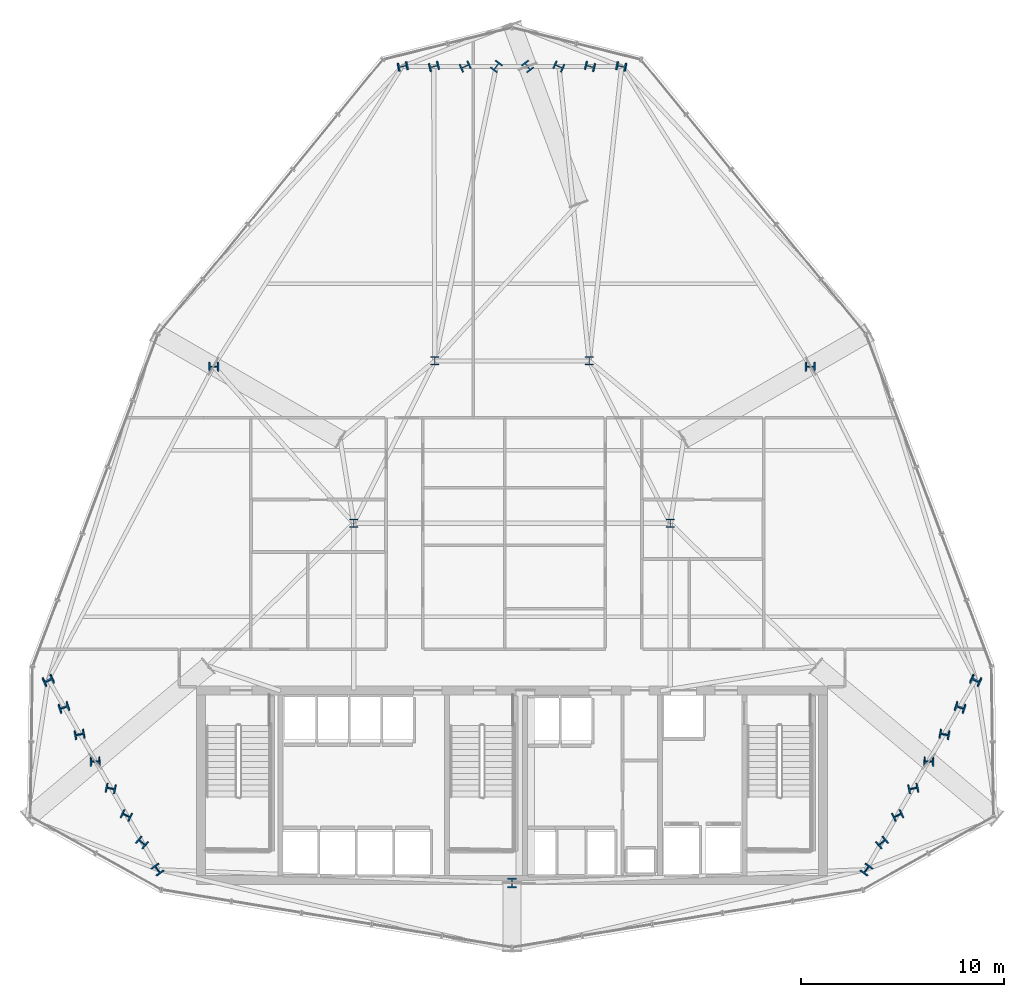
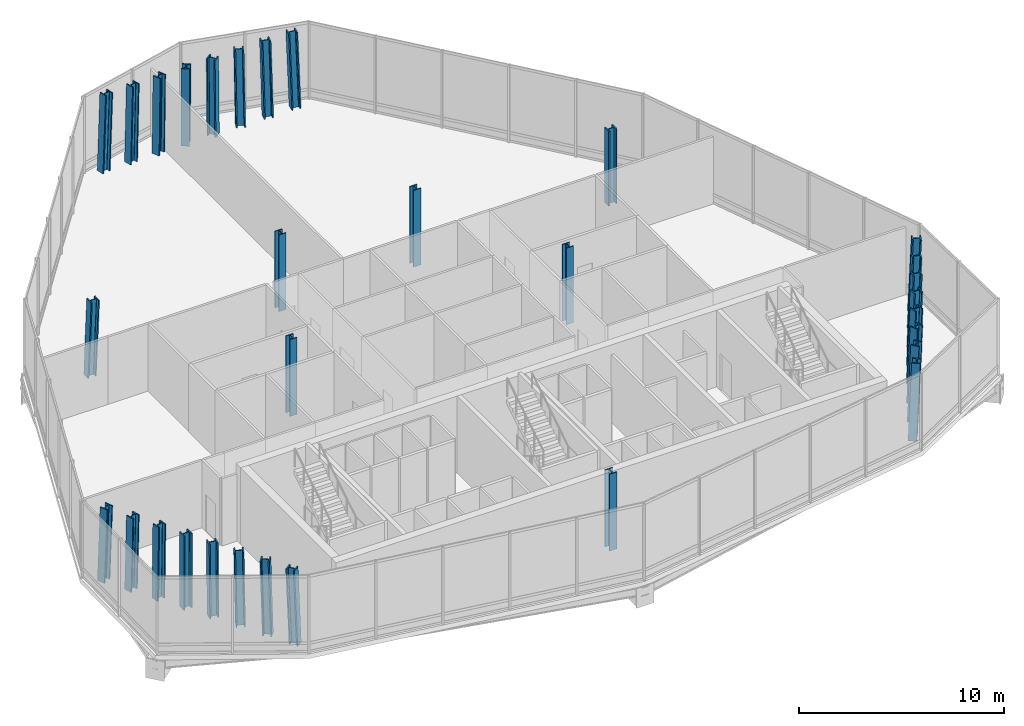
# One storey, part 1 of 26: 31 columns.
"""IFC4 building model written with IfcOpenShell, lengths in metres."""

from ifc_helpers import new_model, si_unit, direction, frame, origin, origin_2d, place, context, subcontext, project, spatial, i_section, extrude, material, material_profile, profile_set, type_object, element, save


model = new_model("IFC4")

# Units and contexts
model_context = context("Model", 3, precision=1e-05, world=origin(), true_north=direction((0.0, 1.0)))
body_context = subcontext(model_context, "Body", "Model", "MODEL_VIEW")
ifc_project = project(units=[si_unit("LENGTHUNIT", "METRE"), si_unit("AREAUNIT", "SQUARE_METRE"), si_unit("VOLUMEUNIT", "CUBIC_METRE"), si_unit("PLANEANGLEUNIT", "RADIAN"), si_unit("MASSUNIT", "GRAM", prefix="KILO")], contexts=[model_context])

# Site, building, storey
site_placement = place(None, origin())
site = spatial("IfcSite", under=ifc_project, at=site_placement, CompositionType="ELEMENT")
building_placement = place(site_placement, origin())
building = spatial("IfcBuilding", under=site, at=building_placement, Name="Ndaravel Arena Tower", CompositionType="ELEMENT")
storey_placement = place(building_placement, frame((0.0, 0.0, 122.199951171875)))
storey = spatial("IfcBuildingStorey", under=building, at=storey_placement, Name="L28", CompositionType="ELEMENT", Elevation=122.199951171875)

# Columns
ifc_material_1 = material(Name="Steel S355", Category="steel")
ifc_material_profile_1 = material_profile(ifc_material_1, i_section(OverallWidth=0.406982421875, OverallDepth=0.4189453125, WebThickness=0.030517578125, FlangeThickness=0.04931640625, FilletRadius=0.01513671875, at=origin_2d()), Name="UC 356x406x393")
ifc_profile_set_1 = profile_set([ifc_material_profile_1], Name="Steel S355")
column_type_1 = type_object("IfcColumnType", Name="COL-INT-UC393", PredefinedType="COLUMN", material=ifc_profile_set_1)
for number, where, z_axis, x_axis, name in (
    (1, (34.199951171875, 23.199951171875, 0.0), (0.0, 0.0, 1.0), (1.0, 0.0, 0.0), "L28 Interior Spine Column IC-01"),
    (2, (49.800048828125, 23.199951171875, 0.0), (0.0, 0.0, 1.0), (1.0, 0.0, 0.0), "L28 Interior Spine Column IC-02"),
    (3, (38.199951171875, 31.199951171875, 0.0), (0.0, 0.0, 1.0), (1.0, 0.0, 0.0), "L28 Interior Spine Column IC-03"),
    (4, (45.800048828125, 31.199951171875, 0.0), (0.0, 0.0, 1.0), (1.0, 0.0, 0.0), "L28 Interior Spine Column IC-04"),
):
    element("IfcColumn", number, at=place(storey_placement, frame(where, z_axis=z_axis, x_axis=x_axis)), inside=storey, type_object=column_type_1, Name=name, PredefinedType="COLUMN", context=body_context, shape_type="SweptSolid", body=[
        extrude(i_section(OverallWidth=0.406982421875, OverallDepth=0.4189453125, WebThickness=0.030517578125, FlangeThickness=0.04931640625, FilletRadius=0.01513671875, at=origin_2d()), origin(), (0.0, 0.0, 1.0), 4.580078125),
    ])
ifc_material_2 = material(Name="Steel S355", Category="steel")
ifc_material_profile_2 = material_profile(ifc_material_2, i_section(OverallWidth=0.427978515625, OverallDepth=0.48095703125, WebThickness=0.051025390625, FlangeThickness=0.06494140625, FilletRadius=0.014892578125, at=origin_2d()), Name="HD 400x677")
ifc_profile_set_2 = profile_set([ifc_material_profile_2], Name="Steel S355")
column_type_2 = type_object("IfcColumnType", Name="COL-TUBE-HD677", PredefinedType="COLUMN", material=ifc_profile_set_2)
column_1_placement = place(storey_placement, frame((42.0, 5.47998046875, 0.0), z_axis=(0.0, 0.0, 1.0), x_axis=(1.0, 0.0, 0.0)))
element("IfcColumn", 5, at=column_1_placement, inside=storey, type_object=column_type_2, Name="L28 Framed Tube Column TC-01", PredefinedType="COLUMN", context=body_context, shape_type="SweptSolid", body=[
    extrude(i_section(OverallWidth=0.427978515625, OverallDepth=0.48095703125, WebThickness=0.051025390625, FlangeThickness=0.06494140625, FilletRadius=0.014892578125, at=origin_2d()), origin(), (0.0, 0.0, 1.0), 4.580078125),
])
column_2_placement = place(storey_placement, frame((59.435791015625, 6.148193359375, 0.0), z_axis=(0.043189505974, -0.004473389028, 0.999056882947), x_axis=(-0.809092349622, 0.586477247049, 0.037603304067)))
element("IfcColumn", 6, at=column_2_placement, inside=storey, type_object=column_type_2, Name="L28 Framed Tube Column TC-02", PredefinedType="COLUMN", context=body_context, shape_type="SweptSolid", body=[
    extrude(i_section(OverallWidth=0.427978515625, OverallDepth=0.48095703125, WebThickness=0.051025390625, FlangeThickness=0.06494140625, FilletRadius=0.014892578125, at=origin_2d()), origin(), (0.0, 0.0, 1.0), 4.58447265625),
])
for number, where, z_axis, x_axis, name in (
    (7, (60.20751953125, 7.48486328125, 0.0), (0.037975473427, -0.013581691057, 0.999186369546), (-0.646402166409, 0.762197015263, 0.034927770978), "L28 Framed Tube Column TC-03"),
    (8, (60.979248046875, 8.8212890625, 0.0), (0.032703352646, -0.022583422674, 0.999209927766), (-0.427943788635, 0.903149751469, 0.03441860239), "L28 Framed Tube Column TC-04"),
):
    element("IfcColumn", number, at=place(storey_placement, frame(where, z_axis=z_axis, x_axis=x_axis)), inside=storey, type_object=column_type_2, Name=name, PredefinedType="COLUMN", context=body_context, shape_type="SweptSolid", body=[
        extrude(i_section(OverallWidth=0.427978515625, OverallDepth=0.48095703125, WebThickness=0.051025390625, FlangeThickness=0.06494140625, FilletRadius=0.014892578125, at=origin_2d()), origin(), (0.0, 0.0, 1.0), 4.583740234375),
    ])
column_3_placement = place(storey_placement, frame((61.750732421875, 10.157958984375, 0.0), z_axis=(0.027534387847, -0.031635254122, 0.999120147021), x_axis=(-0.190914261199, 0.980934526871, 0.036320777292)))
element("IfcColumn", 9, at=column_3_placement, inside=storey, type_object=column_type_2, Name="L28 Framed Tube Column TC-05", PredefinedType="COLUMN", context=body_context, shape_type="SweptSolid", body=[
    extrude(i_section(OverallWidth=0.427978515625, OverallDepth=0.48095703125, WebThickness=0.051025390625, FlangeThickness=0.06494140625, FilletRadius=0.014892578125, at=origin_2d()), origin(), (0.0, 0.0, 1.0), 4.584228515625),
])
column_4_placement = place(storey_placement, frame((62.5224609375, 11.49462890625, 0.0), z_axis=(0.022310701627, -0.040681088408, 0.998923060921), x_axis=(0.022408974, 0.99894108891, 0.040181323658)))
element("IfcColumn", 10, at=column_4_placement, inside=storey, type_object=column_type_2, Name="L28 Framed Tube Column TC-06", PredefinedType="COLUMN", context=body_context, shape_type="SweptSolid", body=[
    extrude(i_section(OverallWidth=0.427978515625, OverallDepth=0.48095703125, WebThickness=0.051025390625, FlangeThickness=0.06494140625, FilletRadius=0.014892578125, at=origin_2d()), origin(), (0.0, 0.0, 1.0), 4.5849609375),
])
column_5_placement = place(storey_placement, frame((63.294189453125, 12.831298828125, 0.0), z_axis=(0.017087211933, -0.049717931294, 0.998617121071), x_axis=(0.191763952712, 0.98038446658, 0.045528937258)))
element("IfcColumn", 11, at=column_5_placement, inside=storey, type_object=column_type_2, Name="L28 Framed Tube Column TC-07", PredefinedType="COLUMN", context=body_context, shape_type="SweptSolid", body=[
    extrude(i_section(OverallWidth=0.427978515625, OverallDepth=0.48095703125, WebThickness=0.051025390625, FlangeThickness=0.06494140625, FilletRadius=0.014892578125, at=origin_2d()), origin(), (0.0, 0.0, 1.0), 4.58642578125),
])
column_6_placement = place(storey_placement, frame((64.06591796875, 14.167724609375, 0.0), z_axis=(0.011812463499, -0.058689852427, 0.998206374919), x_axis=(0.319599229049, 0.946133345775, 0.051846164794)))
element("IfcColumn", 12, at=column_6_placement, inside=storey, type_object=column_type_2, Name="L28 Framed Tube Column TC-08", PredefinedType="COLUMN", context=body_context, shape_type="SweptSolid", body=[
    extrude(i_section(OverallWidth=0.427978515625, OverallDepth=0.48095703125, WebThickness=0.051025390625, FlangeThickness=0.06494140625, FilletRadius=0.014892578125, at=origin_2d()), origin(), (0.0, 0.0, 1.0), 4.58837890625),
])
column_7_placement = place(storey_placement, frame((64.83740234375, 15.50439453125, 0.0), z_axis=(0.006647678433, -0.067699957159, 0.997683579183), x_axis=(0.413172033323, 0.908745434106, 0.058911856794)))
element("IfcColumn", 13, at=column_7_placement, inside=storey, type_object=column_type_2, Name="L28 Framed Tube Column TC-09", PredefinedType="COLUMN", context=body_context, shape_type="SweptSolid", body=[
    extrude(i_section(OverallWidth=0.427978515625, OverallDepth=0.48095703125, WebThickness=0.051025390625, FlangeThickness=0.06494140625, FilletRadius=0.014892578125, at=origin_2d()), origin(), (0.0, 0.0, 1.0), 4.5908203125),
])
for number, where, z_axis, x_axis, name in (
    (14, (56.6982421875, 30.938232421875, 0.0), (-0.018856516955, -0.032652669191, 0.999288864625), (-0.00020486986, 0.999466674907, 0.032654613422), "L28 Framed Tube Column TC-10"),
    (15, (47.401611328125, 45.7041015625, 0.0), (-0.036488653894, 0.006978122132, 0.99930970372), (-0.18783683537, -0.982200246018, 0.0), "L28 Framed Tube Column TC-11"),
):
    element("IfcColumn", number, at=place(storey_placement, frame(where, z_axis=z_axis, x_axis=x_axis)), inside=storey, type_object=column_type_2, Name=name, PredefinedType="COLUMN", context=body_context, shape_type="SweptSolid", body=[
        extrude(i_section(OverallWidth=0.427978515625, OverallDepth=0.48095703125, WebThickness=0.051025390625, FlangeThickness=0.06494140625, FilletRadius=0.014892578125, at=origin_2d()), origin(), (0.0, 0.0, 1.0), 4.583251953125),
    ])
column_8_placement = place(storey_placement, frame((45.8583984375, 45.7041015625, 0.0), z_axis=(-0.026109861774, 0.006980391617, 0.999634707906), x_axis=(-0.258276158902, -0.966071128718, 0.0)))
element("IfcColumn", 16, at=column_8_placement, inside=storey, type_object=column_type_2, Name="L28 Framed Tube Column TC-12", PredefinedType="COLUMN", context=body_context, shape_type="SweptSolid", body=[
    extrude(i_section(OverallWidth=0.427978515625, OverallDepth=0.48095703125, WebThickness=0.051025390625, FlangeThickness=0.06494140625, FilletRadius=0.014892578125, at=origin_2d()), origin(), (0.0, 0.0, 1.0), 4.581787109375),
])
column_9_placement = place(storey_placement, frame((44.31494140625, 45.7041015625, 0.0), z_axis=(-0.015616051692, 0.006981920723, 0.999853685152), x_axis=(-0.408161090952, -0.912909920985, 0.0)))
element("IfcColumn", 17, at=column_9_placement, inside=storey, type_object=column_type_2, Name="L28 Framed Tube Column TC-13", PredefinedType="COLUMN", context=body_context, shape_type="SweptSolid", body=[
    extrude(i_section(OverallWidth=0.427978515625, OverallDepth=0.48095703125, WebThickness=0.051025390625, FlangeThickness=0.06494140625, FilletRadius=0.014892578125, at=origin_2d()), origin(), (0.0, 0.0, 1.0), 4.580810546875),
])
for number, where, z_axis, x_axis, name in (
    (18, (42.771728515625, 45.7041015625, 0.0), (-0.005223681969, 0.006982676918, 0.999961976962), (-0.800732897989, -0.599021557274, 0.0), "L28 Framed Tube Column TC-14"),
    (19, (41.228271484375, 45.7041015625, 0.0), (0.005223681969, 0.006982676918, 0.999961976962), (-0.800732897989, 0.599021557274, 0.0), "L28 Framed Tube Column TC-15"),
):
    element("IfcColumn", number, at=place(storey_placement, frame(where, z_axis=z_axis, x_axis=x_axis)), inside=storey, type_object=column_type_2, Name=name, PredefinedType="COLUMN", context=body_context, shape_type="SweptSolid", body=[
        extrude(i_section(OverallWidth=0.427978515625, OverallDepth=0.48095703125, WebThickness=0.051025390625, FlangeThickness=0.06494140625, FilletRadius=0.014892578125, at=origin_2d()), origin(), (0.0, 0.0, 1.0), 4.580322265625),
    ])
column_10_placement = place(storey_placement, frame((39.68505859375, 45.7041015625, 0.0), z_axis=(0.015616051692, 0.006981920723, 0.999853685152), x_axis=(-0.408161090952, 0.912909920985, 0.0)))
element("IfcColumn", 20, at=column_10_placement, inside=storey, type_object=column_type_2, Name="L28 Framed Tube Column TC-16", PredefinedType="COLUMN", context=body_context, shape_type="SweptSolid", body=[
    extrude(i_section(OverallWidth=0.427978515625, OverallDepth=0.48095703125, WebThickness=0.051025390625, FlangeThickness=0.06494140625, FilletRadius=0.014892578125, at=origin_2d()), origin(), (0.0, 0.0, 1.0), 4.580810546875),
])
column_11_placement = place(storey_placement, frame((38.1416015625, 45.7041015625, 0.0), z_axis=(0.026109861774, 0.006980391617, 0.999634707906), x_axis=(-0.258276158902, 0.966071128718, 0.0)))
element("IfcColumn", 21, at=column_11_placement, inside=storey, type_object=column_type_2, Name="L28 Framed Tube Column TC-17", PredefinedType="COLUMN", context=body_context, shape_type="SweptSolid", body=[
    extrude(i_section(OverallWidth=0.427978515625, OverallDepth=0.48095703125, WebThickness=0.051025390625, FlangeThickness=0.06494140625, FilletRadius=0.014892578125, at=origin_2d()), origin(), (0.0, 0.0, 1.0), 4.581787109375),
])
for number, where, z_axis, x_axis, name in (
    (22, (36.598388671875, 45.7041015625, 0.0), (0.036488653894, 0.006978122132, 0.99930970372), (-0.18783683537, 0.982200246018, 0.0), "L28 Framed Tube Column TC-18"),
    (23, (27.3017578125, 30.938232421875, 0.0), (0.018856516955, -0.032652669191, 0.999288864625), (0.00020486986, 0.999466674907, 0.032654613422), "L28 Framed Tube Column TC-19"),
):
    element("IfcColumn", number, at=place(storey_placement, frame(where, z_axis=z_axis, x_axis=x_axis)), inside=storey, type_object=column_type_2, Name=name, PredefinedType="COLUMN", context=body_context, shape_type="SweptSolid", body=[
        extrude(i_section(OverallWidth=0.427978515625, OverallDepth=0.48095703125, WebThickness=0.051025390625, FlangeThickness=0.06494140625, FilletRadius=0.014892578125, at=origin_2d()), origin(), (0.0, 0.0, 1.0), 4.583251953125),
    ])
column_12_placement = place(storey_placement, frame((19.16259765625, 15.50439453125, 0.0), z_axis=(-0.006647678433, -0.067699957159, 0.997683579183), x_axis=(-0.413172033323, 0.908745434106, 0.058911856794)))
element("IfcColumn", 24, at=column_12_placement, inside=storey, type_object=column_type_2, Name="L28 Framed Tube Column TC-20", PredefinedType="COLUMN", context=body_context, shape_type="SweptSolid", body=[
    extrude(i_section(OverallWidth=0.427978515625, OverallDepth=0.48095703125, WebThickness=0.051025390625, FlangeThickness=0.06494140625, FilletRadius=0.014892578125, at=origin_2d()), origin(), (0.0, 0.0, 1.0), 4.5908203125),
])
column_13_placement = place(storey_placement, frame((19.93408203125, 14.167724609375, 0.0), z_axis=(-0.011812463499, -0.058689852427, 0.998206374919), x_axis=(-0.319599229049, 0.946133345775, 0.051846164794)))
element("IfcColumn", 25, at=column_13_placement, inside=storey, type_object=column_type_2, Name="L28 Framed Tube Column TC-21", PredefinedType="COLUMN", context=body_context, shape_type="SweptSolid", body=[
    extrude(i_section(OverallWidth=0.427978515625, OverallDepth=0.48095703125, WebThickness=0.051025390625, FlangeThickness=0.06494140625, FilletRadius=0.014892578125, at=origin_2d()), origin(), (0.0, 0.0, 1.0), 4.58837890625),
])
column_14_placement = place(storey_placement, frame((20.705810546875, 12.831298828125, 0.0), z_axis=(-0.017087211933, -0.049717931294, 0.998617121071), x_axis=(-0.191763952712, 0.98038446658, 0.045528937258)))
element("IfcColumn", 26, at=column_14_placement, inside=storey, type_object=column_type_2, Name="L28 Framed Tube Column TC-22", PredefinedType="COLUMN", context=body_context, shape_type="SweptSolid", body=[
    extrude(i_section(OverallWidth=0.427978515625, OverallDepth=0.48095703125, WebThickness=0.051025390625, FlangeThickness=0.06494140625, FilletRadius=0.014892578125, at=origin_2d()), origin(), (0.0, 0.0, 1.0), 4.58642578125),
])
column_15_placement = place(storey_placement, frame((21.4775390625, 11.49462890625, 0.0), z_axis=(-0.022310701627, -0.040681088408, 0.998923060921), x_axis=(-0.022408974, 0.99894108891, 0.040181323658)))
element("IfcColumn", 27, at=column_15_placement, inside=storey, type_object=column_type_2, Name="L28 Framed Tube Column TC-23", PredefinedType="COLUMN", context=body_context, shape_type="SweptSolid", body=[
    extrude(i_section(OverallWidth=0.427978515625, OverallDepth=0.48095703125, WebThickness=0.051025390625, FlangeThickness=0.06494140625, FilletRadius=0.014892578125, at=origin_2d()), origin(), (0.0, 0.0, 1.0), 4.5849609375),
])
column_16_placement = place(storey_placement, frame((22.249267578125, 10.157958984375, 0.0), z_axis=(-0.027534387847, -0.031635254122, 0.999120147021), x_axis=(0.190914261199, 0.980934526871, 0.036320777292)))
element("IfcColumn", 28, at=column_16_placement, inside=storey, type_object=column_type_2, Name="L28 Framed Tube Column TC-24", PredefinedType="COLUMN", context=body_context, shape_type="SweptSolid", body=[
    extrude(i_section(OverallWidth=0.427978515625, OverallDepth=0.48095703125, WebThickness=0.051025390625, FlangeThickness=0.06494140625, FilletRadius=0.014892578125, at=origin_2d()), origin(), (0.0, 0.0, 1.0), 4.584228515625),
])
for number, where, z_axis, x_axis, name in (
    (29, (23.020751953125, 8.8212890625, 0.0), (-0.032703352646, -0.022583422674, 0.999209927766), (0.427943788635, 0.903149751469, 0.03441860239), "L28 Framed Tube Column TC-25"),
    (30, (23.79248046875, 7.48486328125, 0.0), (-0.037975473427, -0.013581691057, 0.999186369546), (0.646402166409, 0.762197015263, 0.034927770978), "L28 Framed Tube Column TC-26"),
):
    element("IfcColumn", number, at=place(storey_placement, frame(where, z_axis=z_axis, x_axis=x_axis)), inside=storey, type_object=column_type_2, Name=name, PredefinedType="COLUMN", context=body_context, shape_type="SweptSolid", body=[
        extrude(i_section(OverallWidth=0.427978515625, OverallDepth=0.48095703125, WebThickness=0.051025390625, FlangeThickness=0.06494140625, FilletRadius=0.014892578125, at=origin_2d()), origin(), (0.0, 0.0, 1.0), 4.583740234375),
    ])
column_17_placement = place(storey_placement, frame((24.564208984375, 6.148193359375, 0.0), z_axis=(-0.043189505974, -0.004473389028, 0.999056882947), x_axis=(0.809092349622, 0.586477247049, 0.037603304067)))
element("IfcColumn", 31, at=column_17_placement, inside=storey, type_object=column_type_2, Name="L28 Framed Tube Column TC-27", PredefinedType="COLUMN", context=body_context, shape_type="SweptSolid", body=[
    extrude(i_section(OverallWidth=0.427978515625, OverallDepth=0.48095703125, WebThickness=0.051025390625, FlangeThickness=0.06494140625, FilletRadius=0.014892578125, at=origin_2d()), origin(), (0.0, 0.0, 1.0), 4.58447265625),
])

save(model, "model.ifc")
